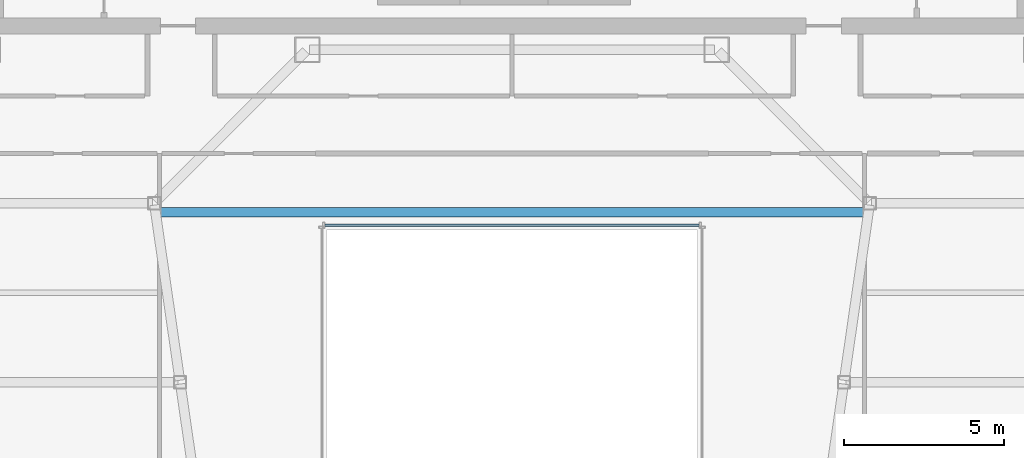
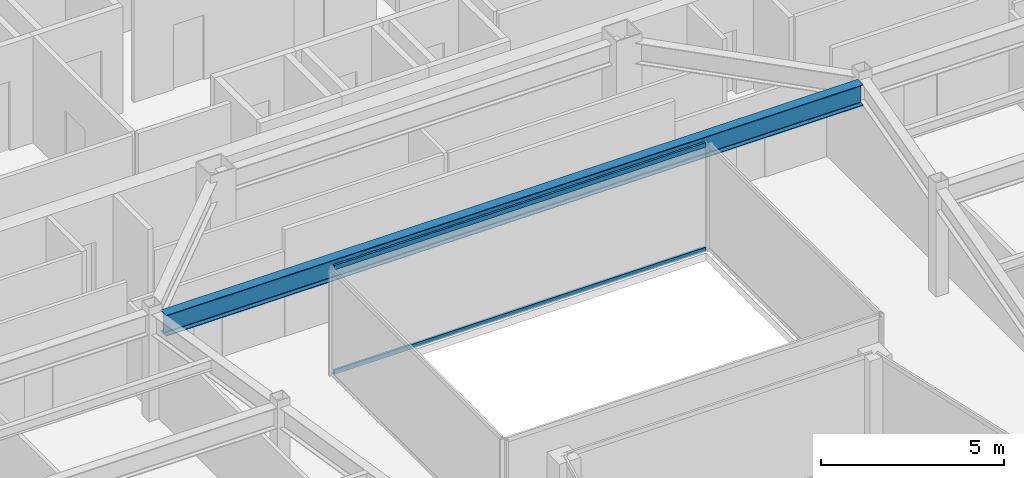
# One storey, part 14 of 36: 2 members, 1 beam, 1 element without a shape of its own.
"""IFC4 building model written with IfcOpenShell, lengths in metres."""

from ifc_helpers import new_model, si_unit, direction, frame, origin, origin_2d, place, context, subcontext, project, spatial, hollow_rectangle, i_section, extrude, material, material_profile, profile_set, type_object, element, aggregate, save


model = new_model("IFC4")

# Units and contexts
model_context = context("Model", 3, precision=1e-05, world=origin(), true_north=direction((0.0, 1.0)))
body_context = subcontext(model_context, "Body", "Model", "MODEL_VIEW")
ifc_project = project(units=[si_unit("LENGTHUNIT", "METRE"), si_unit("AREAUNIT", "SQUARE_METRE"), si_unit("VOLUMEUNIT", "CUBIC_METRE"), si_unit("PLANEANGLEUNIT", "RADIAN"), si_unit("MASSUNIT", "GRAM", prefix="KILO")], contexts=[model_context])

# Site, building, storey
site_placement = place(None, origin())
site = spatial("IfcSite", under=ifc_project, at=site_placement, CompositionType="ELEMENT")
building_placement = place(site_placement, origin())
building = spatial("IfcBuilding", under=site, at=building_placement, Name="Saevonmaru Cultural Tower", CompositionType="ELEMENT")
storey_placement = place(building_placement, frame((0.0, 0.0, 182.800048828125)))
storey = spatial("IfcBuildingStorey", under=building, at=storey_placement, Name="L41", CompositionType="ELEMENT", Elevation=182.800048828125)

# Beam
ifc_material_1 = material(Name="Steel SM355", Category="steel")
ifc_material_profile_1 = material_profile(ifc_material_1, i_section(OverallWidth=0.300048828125, OverallDepth=0.699951171875, WebThickness=0.012939453125, FlangeThickness=0.02392578125, FilletRadius=0.02587890625, at=origin_2d()), Name="H-700x300x13x24")
ifc_profile_set_1 = profile_set([ifc_material_profile_1], Name="Steel SM355")
beam_type = type_object("IfcBeamType", Name="BM-G-H700", PredefinedType="BEAM", material=ifc_profile_set_1)
beam_placement = place(storey_placement, frame((19.00634765625, 37.320068359375, 3.199951171875), z_axis=(1.0, 0.0, 0.0), x_axis=(0.0, 1.0, 0.0)))
element("IfcBeam", 1, at=beam_placement, inside=storey, type_object=beam_type, Name="L41 Central Link Girder", PredefinedType="BEAM", context=body_context, shape_type="SweptSolid", body=[
    extrude(i_section(OverallWidth=0.300048828125, OverallDepth=0.699951171875, WebThickness=0.012939453125, FlangeThickness=0.02392578125, FilletRadius=0.02587890625, at=origin_2d()), origin(), (0.0, 0.0, 1.0), 21.9873046875),
])

# Curtain wall, members
ifc_material_2 = material(Name="Satin Bronze Anodised Aluminium", Category="aluminium")
curtain_wall_type = type_object("IfcCurtainWallType", Name="CW-ATR-GLZ", PredefinedType="NOTDEFINED", material=ifc_material_2)
curtain_wall_placement = place(storey_placement, origin())
curtain_wall = element("IfcCurtainWall", 2, at=curtain_wall_placement, inside=storey, type_object=curtain_wall_type, Name="L41 Vertical Atrium Glazed Smoke Screen 3", PredefinedType="NOTDEFINED")
ifc_material_profile_2 = material_profile(ifc_material_2, hollow_rectangle(XDim=0.06494140625, YDim=0.14990234375, WallThickness=0.00390625, at=origin_2d()), Name="ALU-TRAN-150x65x4")
ifc_profile_set_2 = profile_set([ifc_material_profile_2], Name="Satin Bronze Anodised Aluminium")
member_type = type_object("IfcMemberType", Name="TR-CW-INT-150x65", PredefinedType="USERDEFINED", material=ifc_profile_set_2)
member_1_placement = place(storey_placement, frame((35.857421875, 36.909912109375, 0.032470703125), z_axis=(-1.0, 0.0, 0.0), x_axis=(0.0, -1.0, 0.0)))
member_1 = element("IfcMember", 3, at=member_1_placement, type_object=member_type, Name="CW-ATR-L41-3 transom 1.1", ObjectType="TRANSOM", PredefinedType="USERDEFINED", context=body_context, shape_type="SweptSolid", body=[
    extrude(hollow_rectangle(XDim=0.06494140625, YDim=0.14990234375, WallThickness=0.00390625, at=origin_2d()), origin(), (0.0, 0.0, 1.0), 11.71484375),
])
member_2_placement = place(storey_placement, frame((35.857421875, 36.909912109375, 3.517333984375), z_axis=(-1.0, 0.0, 0.0), x_axis=(0.0, -1.0, 0.0)))
member_2 = element("IfcMember", 4, at=member_2_placement, type_object=member_type, Name="CW-ATR-L41-3 transom 1.2", ObjectType="TRANSOM", PredefinedType="USERDEFINED", context=body_context, shape_type="SweptSolid", body=[
    extrude(hollow_rectangle(XDim=0.06494140625, YDim=0.14990234375, WallThickness=0.00390625, at=origin_2d()), origin(), (0.0, 0.0, 1.0), 11.71484375),
])
aggregate(curtain_wall, [member_1, member_2])

save(model, "model.ifc")
